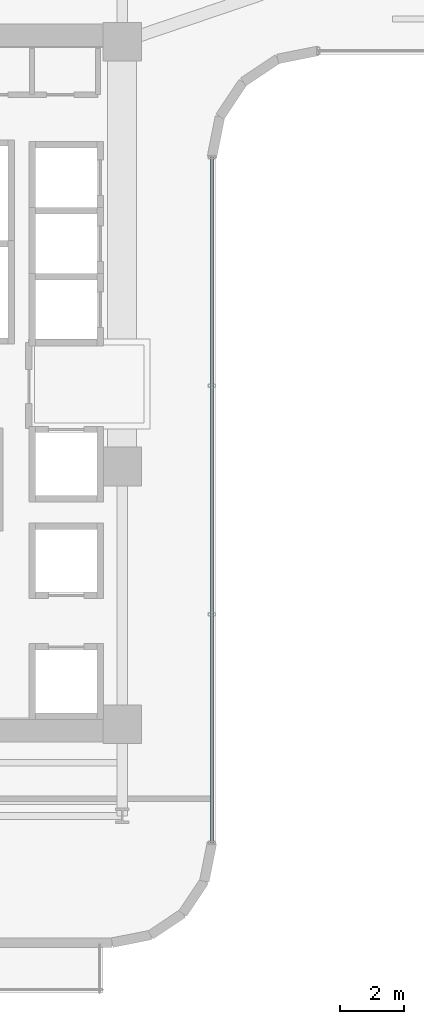
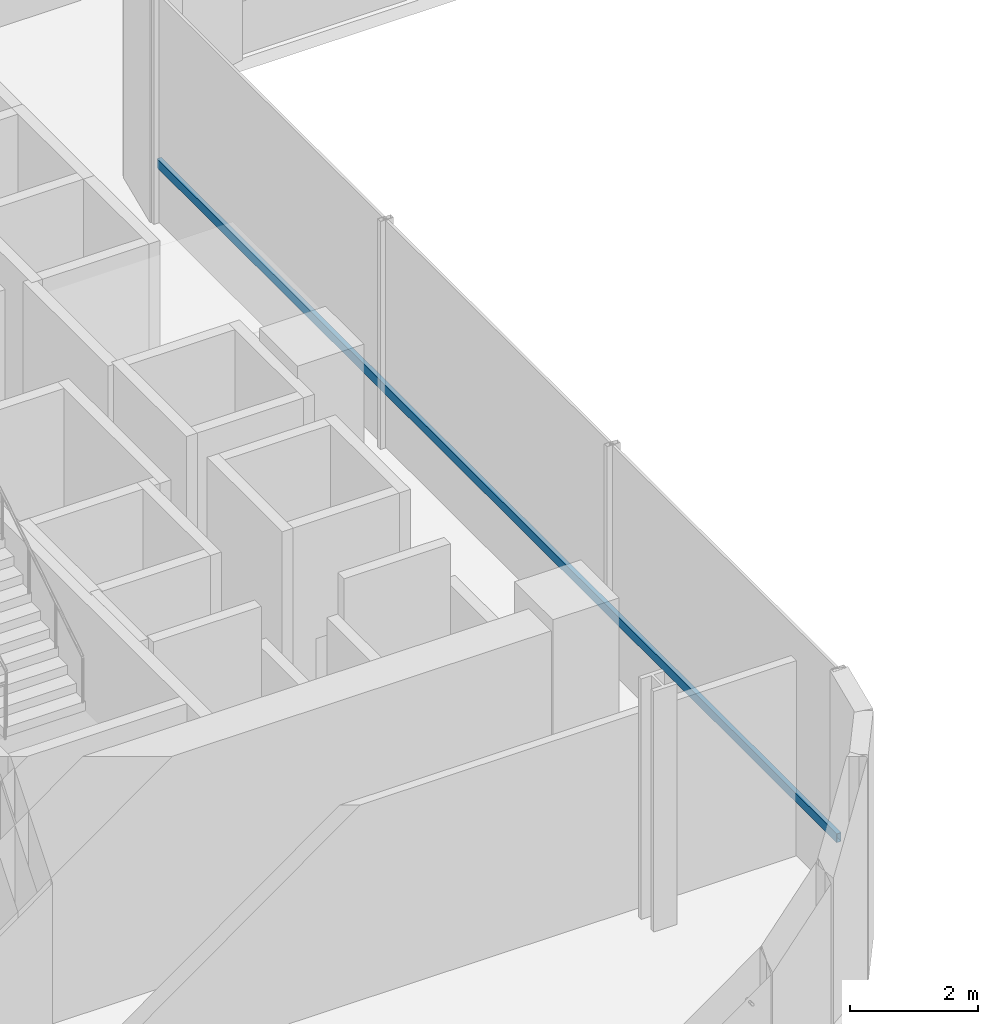
# One storey, part 5 of 32: 1 member, 1 element without a shape of its own.
"""IFC4 building model written with IfcOpenShell, lengths in metres."""

import ifcopenshell
import ifcopenshell.guid

model = None  # the IFC model being written
_history = None  # IfcOwnerHistory: only IFC2X3 demands one
_inside = {}  # id of a spatial element -> (the spatial element, [elements in it])
_under = {}  # id of a project, library or spatial element -> (it, [spatial elements below it])
_declared = {}  # id of a project -> (the project, [libraries it declares])
_typed = {}  # id of a type object -> (the type object, [elements of that type])
_made_of = {}  # id of a material, layer set ... -> (it, [elements and type objects made of it])


def new_model(schema):
    """Start an empty IFC model of exactly this schema.

    Asked for "IFC4X3", IfcOpenShell would pick the latest addendum, in which some entities
    have other attributes; the version numbers below select the first issue.
    IFC2X3 requires an IfcOwnerHistory on every rooted entity: one is made here for all.
    """
    global model, _history
    if schema == "IFC4X3":
        model = ifcopenshell.file(schema_version=(4, 3, 0, 0))
    else:
        model = ifcopenshell.file(schema=schema)
    _inside.clear()
    _under.clear()
    _declared.clear()
    _typed.clear()
    _made_of.clear()
    _history = None
    if model.schema == "IFC2X3":
        org = make("IfcOrganization", Name="unknown")
        user = make(
            "IfcPersonAndOrganization",
            ThePerson=make("IfcPerson", FamilyName="unknown"),
            TheOrganization=org,
        )
        app = make(
            "IfcApplication",
            ApplicationDeveloper=org,
            Version="unknown",
            ApplicationFullName="unknown",
            ApplicationIdentifier="unknown",
        )
        _history = make(
            "IfcOwnerHistory",
            OwningUser=user,
            OwningApplication=app,
            ChangeAction="ADDED",
            CreationDate=0,
        )
    return model


def make(cls, **values):
    """One entity of the class cls with the attributes given. An attribute that is None is left unset."""
    return model.create_entity(
        cls, **{name: value for name, value in values.items() if value is not None}
    )


def rooted(cls, **values):
    """An entity with a GlobalId (a new one), such as an element, a storey or a relation."""
    return make(cls, GlobalId=ifcopenshell.guid.new(), OwnerHistory=_history, **values)


def si_unit(unit_type, name, prefix=None):
    """IfcSIUnit, for example si_unit("LENGTHUNIT", "METRE", prefix="MILLI")."""
    return make("IfcSIUnit", UnitType=unit_type, Prefix=prefix, Name=name)


def assignment(units):
    """IfcUnitAssignment: the units of a project."""
    return None if units is None else make("IfcUnitAssignment", Units=units)


def point(xyz):
    """IfcCartesianPoint."""
    return None if xyz is None else make("IfcCartesianPoint", Coordinates=xyz)


def direction(xyz):
    """IfcDirection."""
    return None if xyz is None else make("IfcDirection", DirectionRatios=xyz)


def frame(location, z_axis=None, x_axis=None):
    """IfcAxis2Placement3D, a coordinate frame: its origin and axes. An axis left out is left unset."""
    return make(
        "IfcAxis2Placement3D",
        Location=point(location),
        Axis=direction(z_axis),
        RefDirection=direction(x_axis),
    )


def frame_2d(location, x_axis=None):
    """IfcAxis2Placement2D, a coordinate frame in the plane: its origin and x axis."""
    return make(
        "IfcAxis2Placement2D", Location=point(location), RefDirection=direction(x_axis)
    )


def origin():
    """The frame at (0, 0, 0) with its axes left unset."""
    return frame((0.0, 0.0, 0.0))


def origin_2d():
    """The frame at (0, 0) in the plane with its x axis left unset."""
    return frame_2d((0.0, 0.0))


def place(relative_to, where):
    """IfcLocalPlacement: puts the frame where relative to a parent placement (None: the world)."""
    return make(
        "IfcLocalPlacement", PlacementRelTo=relative_to, RelativePlacement=where
    )


def context(
    kind, dimensions, precision=None, world=None, true_north=None, identifier=None
):
    """IfcGeometricRepresentationContext, for example the 3D "Model" context."""
    return make(
        "IfcGeometricRepresentationContext",
        ContextIdentifier=identifier,
        ContextType=kind,
        CoordinateSpaceDimension=dimensions,
        Precision=precision,
        WorldCoordinateSystem=world,
        TrueNorth=true_north,
    )


def subcontext(parent, identifier, kind, view, scale=None):
    """IfcGeometricRepresentationSubContext, for example "Body" below "Model"."""
    return make(
        "IfcGeometricRepresentationSubContext",
        ContextIdentifier=identifier,
        ContextType=kind,
        ParentContext=parent,
        TargetScale=scale,
        TargetView=view,
    )


def project(units=None, contexts=None):
    """IfcProject with its units and contexts."""
    return rooted(
        "IfcProject",
        Name="project",
        RepresentationContexts=contexts,
        UnitsInContext=assignment(units),
    )


def spatial(cls, under=None, at=None, **own):
    """A site, building, storey or space (cls), placed at a placement, below another one or the project."""
    s = rooted(cls, ObjectPlacement=at, **own)
    if under is not None:
        _under.setdefault(under.id(), (under, []))[1].append(s)
    return s


def profile(cls, at=None, kind="AREA", **sizes):
    """A parametric profile (cls). Its sizes go by their IFC names, for example OverallWidth=200.0."""
    return make(cls, ProfileType=kind, Position=at, **sizes)


def hollow_rectangle(**sizes):
    """IfcRectangleHollowProfileDef."""
    return profile("IfcRectangleHollowProfileDef", **sizes)


def extrude(swept, where, along, depth):
    """IfcExtrudedAreaSolid: the profile swept, set in the frame where, extruded along a direction by depth."""
    return make(
        "IfcExtrudedAreaSolid",
        SweptArea=swept,
        Position=where,
        ExtrudedDirection=direction(along),
        Depth=depth,
    )


def shape(context_of_items, identifier, shape_type, items):
    """IfcShapeRepresentation: the items that make up one representation, for example the "Body"."""
    return make(
        "IfcShapeRepresentation",
        ContextOfItems=context_of_items,
        RepresentationIdentifier=identifier,
        RepresentationType=shape_type,
        Items=items,
    )


def source(mapping_origin, context_of_items, identifier, shape_type, items):
    """IfcRepresentationMap: a shape defined once, which mapped items show again and again."""
    return make(
        "IfcRepresentationMap",
        MappingOrigin=mapping_origin,
        MappedRepresentation=shape(context_of_items, identifier, shape_type, items),
    )


def transform(
    local_origin,
    x_axis=None,
    y_axis=None,
    z_axis=None,
    scale=None,
    scale2=None,
    scale3=None,
    uniform=True,
):
    """IfcCartesianTransformationOperator3D, or its non-uniform kind. x_axis, y_axis, z_axis: its Axis1, 2, 3."""
    if uniform:
        return make(
            "IfcCartesianTransformationOperator3D",
            Axis1=direction(x_axis),
            Axis2=direction(y_axis),
            LocalOrigin=point(local_origin),
            Scale=scale,
            Axis3=direction(z_axis),
        )
    return make(
        "IfcCartesianTransformationOperator3DnonUniform",
        Axis1=direction(x_axis),
        Axis2=direction(y_axis),
        LocalOrigin=point(local_origin),
        Scale=scale,
        Axis3=direction(z_axis),
        Scale2=scale2,
        Scale3=scale3,
    )


def mapped(mapping_source, mapping_target):
    """IfcMappedItem: shows the shape of a source again, moved by a transform."""
    return make(
        "IfcMappedItem", MappingSource=mapping_source, MappingTarget=mapping_target
    )


def material(Name=None, Category=None):
    """IfcMaterial."""
    return make("IfcMaterial", Name=Name, Category=Category)


def material_profile(
    of_material, cross_section, Name=None, Category=None, Priority=None
):
    """IfcMaterialProfile: a cross section and its material."""
    return make(
        "IfcMaterialProfile",
        Name=Name,
        Material=of_material,
        Profile=cross_section,
        Priority=Priority,
        Category=Category,
    )


def profile_set(profiles, Name=None, composite=None):
    """IfcMaterialProfileSet."""
    return make(
        "IfcMaterialProfileSet",
        Name=Name,
        MaterialProfiles=profiles,
        CompositeProfile=composite,
    )


def made_of(thing, what):
    """Note that an element or type object is made of a material, layer set ...; save() writes the relation."""
    if what is not None:
        _made_of.setdefault(what.id(), (what, []))[1].append(thing)
    return thing


def type_object(cls, material=None, **own):
    """A type object (cls), such as IfcWallType, which elements share."""
    return made_of(rooted(cls, **own), material)


def element(
    cls,
    number,
    at=None,
    inside=None,
    cuts=None,
    type_object=None,
    material=None,
    context=None,
    identifier="Body",
    shape_type=None,
    held_by="IfcProductDefinitionShape",
    body=None,
    shapes=None,
    **own,
):
    """One element of the class cls, such as IfcWall. Its Tag is "e" and its number.

    at: its placement. inside: the storey or other place that contains it. cuts: it is an
    opening in that element (IfcRelVoidsElement). A single representation is given by context,
    identifier, shape_type and body (its items); several are given by shapes. held_by: the class
    of the entity that holds the representations. save() writes the other relations.
    """
    e = rooted(cls, Tag="e%d" % number, ObjectPlacement=at, **own)
    if body is not None:
        shapes = [shape(context, identifier, shape_type, body)]
    if shapes is not None:
        e.Representation = make(held_by, Representations=shapes)
    if inside is not None:
        _inside.setdefault(inside.id(), (inside, []))[1].append(e)
    if cuts is not None:
        rooted(
            "IfcRelVoidsElement", RelatingBuildingElement=cuts, RelatedOpeningElement=e
        )
    if type_object is not None:
        _typed.setdefault(type_object.id(), (type_object, []))[1].append(e)
    return made_of(e, material)


def aggregate(whole, parts):
    """IfcRelAggregates: a whole, such as a stair, and the parts it consists of."""
    return rooted("IfcRelAggregates", RelatingObject=whole, RelatedObjects=parts)


def save(model, path):
    """Write the relations noted so far, then the file.

    IfcRelAggregates (storeys below a building ...), IfcRelContainedInSpatialStructure (elements
    in a storey), IfcRelDefinesByType, IfcRelAssociatesMaterial and IfcRelDeclares: one each for
    every whole, place, type object, material and project.
    """
    for whole, parts in _under.values():
        aggregate(whole, parts)
    for where, things in _inside.values():
        rooted(
            "IfcRelContainedInSpatialStructure",
            RelatedElements=things,
            RelatingStructure=where,
        )
    for kind, things in _typed.values():
        rooted("IfcRelDefinesByType", RelatedObjects=things, RelatingType=kind)
    for what, things in _made_of.values():
        rooted("IfcRelAssociatesMaterial", RelatedObjects=things, RelatingMaterial=what)
    for by, libraries in _declared.values():
        rooted("IfcRelDeclares", RelatingContext=by, RelatedDefinitions=libraries)
    model.write(path)


model = new_model("IFC4")

# Units and contexts
model_context = context("Model", 3, precision=1e-05, world=origin(), true_north=direction((0.0, 1.0)))
body_context = subcontext(model_context, "Body", "Model", "MODEL_VIEW")
ifc_project = project(units=[si_unit("LENGTHUNIT", "METRE"), si_unit("AREAUNIT", "SQUARE_METRE"), si_unit("VOLUMEUNIT", "CUBIC_METRE"), si_unit("PLANEANGLEUNIT", "RADIAN"), si_unit("MASSUNIT", "GRAM", prefix="KILO")], contexts=[model_context])

# Site, building, storey
site_placement = place(None, origin())
site = spatial("IfcSite", under=ifc_project, at=site_placement, CompositionType="ELEMENT")
building_placement = place(site_placement, origin())
building = spatial("IfcBuilding", under=site, at=building_placement, Name="Valdorenza Pilgrim Sanctuary Tower", CompositionType="ELEMENT")
storey_placement = place(building_placement, frame((0.0, 0.0, 101.10009765625)))
storey = spatial("IfcBuildingStorey", under=building, at=storey_placement, Name="L25", CompositionType="ELEMENT", Elevation=101.10009765625)

# Curtain wall, member
ifc_material_1 = material(Name="Curtain-wall IGU glazing", Category="glass")
curtain_wall_type = type_object("IfcCurtainWallType", Name="CW-SYS-04", PredefinedType="NOTDEFINED", material=ifc_material_1)
curtain_wall_placement = place(storey_placement, origin())
curtain_wall = element("IfcCurtainWall", 1, at=curtain_wall_placement, inside=storey, type_object=curtain_wall_type, Name="L25 Curtain Wall CW-L25-1-41", PredefinedType="NOTDEFINED")
ifc_material_2 = material(Name="Anodised aluminium AW-6060", Category="aluminium")
ifc_material_profile = material_profile(ifc_material_2, hollow_rectangle(XDim=0.080078125, YDim=0.169921875, WallThickness=0.00390625, at=origin_2d()), Name="ALU-T 170x80x4")
ifc_profile_set = profile_set([ifc_material_profile], Name="Anodised aluminium AW-6060")
member_type = type_object("IfcMemberType", Name="CW-TRN-04", PredefinedType="USERDEFINED", material=ifc_profile_set)
shared_shape = source(origin(), body_context, "Body", "SweptSolid", [
    extrude(hollow_rectangle(XDim=0.080078125, YDim=0.169921875, WallThickness=0.00390625, at=origin_2d()), origin(), (0.0, 0.0, 1.0), 21.300048828125),
])
member_placement = place(storey_placement, frame((-9.610107421875, 7.0107421875, 1.119873046875), z_axis=(0.0, -1.0, 0.0), x_axis=(1.0, 0.0, 0.0)))
member = element("IfcMember", 2, at=member_placement, type_object=member_type, Name="CW-L25-1-41 Transom 1", ObjectType="TRANSOM", PredefinedType="USERDEFINED", context=body_context, shape_type="MappedRepresentation", body=[
    mapped(shared_shape, transform((0.0, 0.0, 0.0), x_axis=(1.0, 0.0, 0.0), y_axis=(0.0, 1.0, 0.0), z_axis=(0.0, 0.0, 1.0), scale=1.0)),
])
aggregate(curtain_wall, [member])

save(model, "model.ifc")
